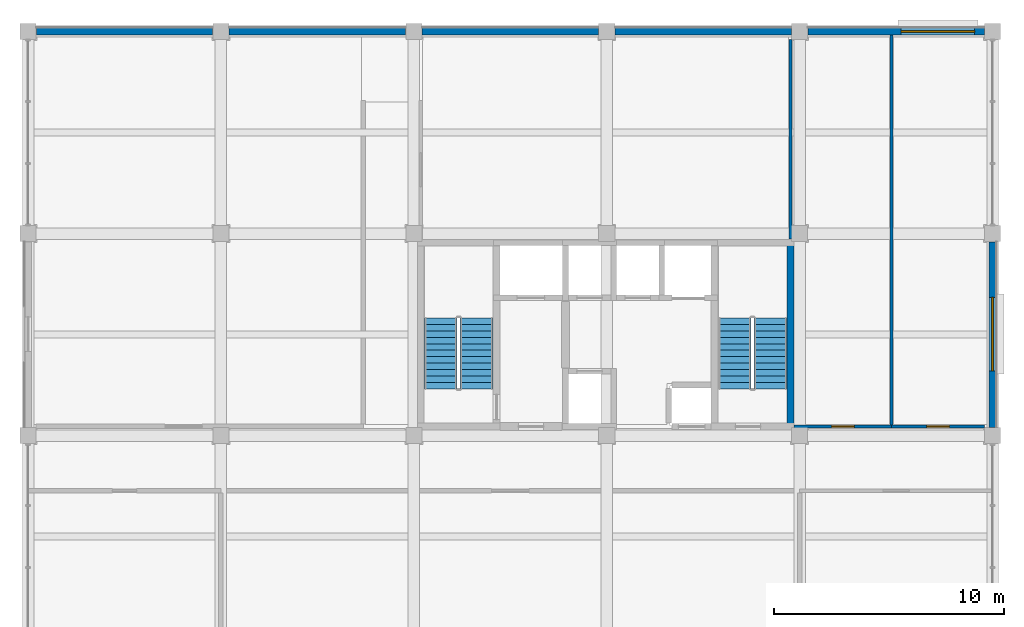
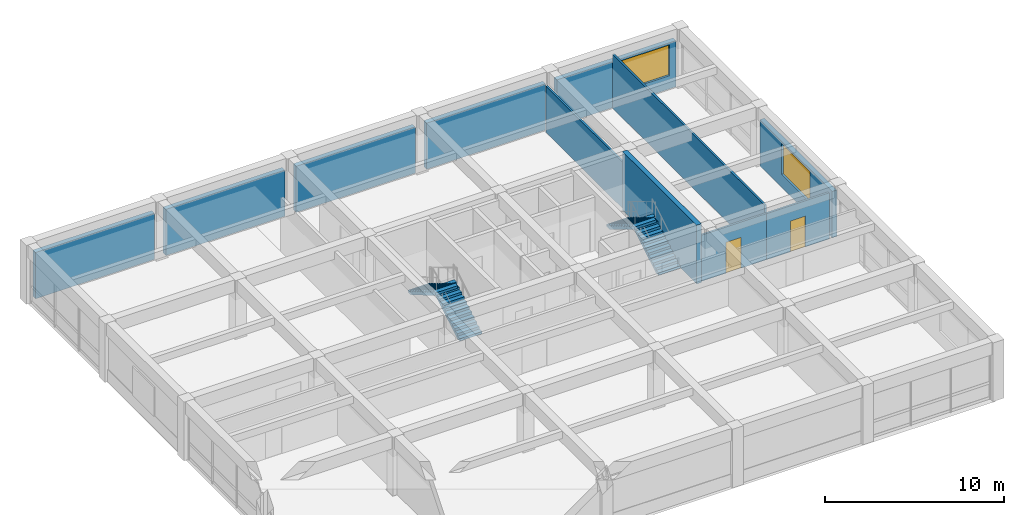
# One storey, part 9 of 14: 11 walls, 4 stair flights, 2 doors, 2 windows, 4 openings, 2 elements without a shape of their own.
"""IFC4 building model written with IfcOpenShell, lengths in metres."""

from ifc_helpers import new_model, si_unit, direction, frame, frame_2d, origin, place, context, subcontext, project, spatial, polyline, rectangle, outline, extrude, material, layer, layer_set, type_object, element, fill, aggregate, save


model = new_model("IFC4")

# Units and contexts
model_context = context("Model", 3, precision=1e-05, world=origin(), true_north=direction((0.0, 1.0)))
body_context = subcontext(model_context, "Body", "Model", "MODEL_VIEW")
ifc_project = project(units=[si_unit("LENGTHUNIT", "METRE"), si_unit("AREAUNIT", "SQUARE_METRE"), si_unit("VOLUMEUNIT", "CUBIC_METRE"), si_unit("PLANEANGLEUNIT", "RADIAN"), si_unit("MASSUNIT", "GRAM", prefix="KILO")], contexts=[model_context])

# Site, building, storey
site_placement = place(None, origin())
site = spatial("IfcSite", under=ifc_project, at=site_placement, CompositionType="ELEMENT")
building_placement = place(site_placement, origin())
building = spatial("IfcBuilding", under=site, at=building_placement, Name="Kemercrest Conservatory and Botanical Centre", CompositionType="ELEMENT")
storey_placement = place(building_placement, frame((0.0, 0.0, 28.800048828125)))
storey = spatial("IfcBuildingStorey", under=building, at=storey_placement, Name="L07", CompositionType="ELEMENT", Elevation=28.800048828125)

# Wall
ifc_material_1 = material(Name="Concrete C50/60", Category="concrete")
ifc_layer_1 = layer(ifc_material_1, 0.300048828125)
ifc_layer_set_1 = layer_set([ifc_layer_1], Name="Concrete C50/60")
wall_type_1 = type_object("IfcWallType", Name="CW-STAIR", PredefinedType="SHEAR", material=ifc_layer_set_1)
wall_1_placement = place(storey_placement, frame((167.199951171875, 105.050048828125, 0.0), z_axis=(0.0, 0.0, 1.0), x_axis=(0.0, 1.0, 0.0)))
element("IfcWall", 1, at=wall_1_placement, inside=storey, type_object=wall_type_1, Name="Stair core ST-V4B shear wall E", PredefinedType="SHEAR", context=body_context, shape_type="SweptSolid", body=[
    extrude(rectangle(XDim=8.300048828125, YDim=0.300048828125, at=frame_2d((4.14990234375, 0.0))), origin(), (0.0, 0.0, 1.0), 4.0),
])

# Wall, opening, window
ifc_material_2 = material(Name="Precast concrete C40/50", Category="concrete")
ifc_layer_2 = layer(ifc_material_2, 0.300048828125)
ifc_layer_set_2 = layer_set([ifc_layer_2], Name="Precast concrete C40/50")
wall_type_2 = type_object("IfcWallType", Name="W-EXT300", PredefinedType="SOLIDWALL", material=ifc_layer_set_2)
wall_2_placement = place(storey_placement, frame((176.0, 105.159912109375, 0.0), z_axis=(0.0, 0.0, 1.0), x_axis=(0.0, 1.0, 0.0)))
wall_2 = element("IfcWall", 2, at=wall_2_placement, inside=storey, type_object=wall_type_2, Name="Exterior almasik wall W-EXT300 (WAL:L07:EXT-266)", PredefinedType="SOLIDWALL", context=body_context, shape_type="SweptSolid", body=[
    extrude(rectangle(XDim=8.080078125, YDim=0.300048828125, at=frame_2d((4.0400390625, 0.0))), origin(), (0.0, 0.0, 1.0), 3.14990234375),
])
opening_1_placement = place(wall_2_placement, frame((2.4599609375, 0.0, 0.89990234375)))
opening_1 = element("IfcOpeningElement", 3, at=opening_1_placement, cuts=wall_2, Name="Opening WT-19", PredefinedType="OPENING", context=body_context, shape_type="SweptSolid", body=[
    extrude(rectangle(XDim=3.199951171875, YDim=2.10009765625, at=frame_2d((1.60009765625, 1.050048828125))), frame((0.0, 0.16015625, 0.0), z_axis=(0.0, -1.0, 0.0), x_axis=(1.0, 0.0, 0.0)), (0.0, 0.0, 1.0), 0.320068359375),
])
ifc_material_3 = material(Name="Thermally broken bronze-anodized aluminium and triple glazing", Category="aluminium")
window_type = type_object("IfcWindowType", Name="WT-19", PartitioningType="SINGLE_PANEL", PredefinedType="WINDOW", material=ifc_material_3)
window_1_placement = place(opening_1_placement, origin())
window_1 = element("IfcWindow", 4, at=window_1_placement, inside=storey, type_object=window_type, Name="Exterior window WT-19 (WIN:L07:EXT-266)", OverallHeight=2.10009765625, OverallWidth=3.199951171875, PartitioningType="SINGLE_PANEL", PredefinedType="WINDOW", context=body_context, shape_type="SweptSolid", body=[
    extrude(rectangle(XDim=3.199951171875, YDim=2.10009765625, at=frame_2d((1.60009765625, 1.050048828125))), frame((0.0, 0.030029296875, 0.0), z_axis=(0.0, -1.0, 0.0), x_axis=(1.0, 0.0, 0.0)), (0.0, 0.0, 1.0), 0.06005859375),
])
fill(opening_1, window_1)

wall_3_placement = place(storey_placement, frame((175.639892578125, 122.39990234375, 0.0), z_axis=(0.0, 0.0, 1.0), x_axis=(-1.0, 0.0, 0.0)))
wall_3 = element("IfcWall", 5, at=wall_3_placement, inside=storey, type_object=wall_type_2, Name="Exterior almasik wall W-EXT300 (WAL:L07:EXT-267)", PredefinedType="SOLIDWALL", context=body_context, shape_type="SweptSolid", body=[
    extrude(rectangle(XDim=7.679931640625, YDim=0.300048828125, at=frame_2d((3.83984375, 0.0))), origin(), (0.0, 0.0, 1.0), 3.14990234375),
])
opening_2_placement = place(wall_3_placement, frame((0.419921875, 0.0, 0.89990234375)))
opening_2 = element("IfcOpeningElement", 6, at=opening_2_placement, cuts=wall_3, Name="Opening WT-19", PredefinedType="OPENING", context=body_context, shape_type="SweptSolid", body=[
    extrude(rectangle(XDim=3.199951171875, YDim=2.10009765625, at=frame_2d((1.60009765625, 1.050048828125))), frame((0.0, 0.16015625, 0.0), z_axis=(0.0, -1.0, 0.0), x_axis=(1.0, 0.0, 0.0)), (0.0, 0.0, 1.0), 0.320068359375),
])
window_2_placement = place(opening_2_placement, origin())
window_2 = element("IfcWindow", 7, at=window_2_placement, inside=storey, type_object=window_type, Name="Exterior window WT-19 (WIN:L07:EXT-267)", OverallHeight=2.10009765625, OverallWidth=3.199951171875, PartitioningType="SINGLE_PANEL", PredefinedType="WINDOW", context=body_context, shape_type="SweptSolid", body=[
    extrude(rectangle(XDim=3.199951171875, YDim=2.10009765625, at=frame_2d((1.60009765625, 1.050048828125))), frame((0.0, 0.030029296875, 0.0), z_axis=(0.0, -1.0, 0.0), x_axis=(1.0, 0.0, 0.0)), (0.0, 0.0, 1.0), 0.06005859375),
])
fill(opening_2, window_2)

# Walls
wall_4_placement = place(storey_placement, frame((167.239990234375, 122.39990234375, 0.0), z_axis=(0.0, 0.0, 1.0), x_axis=(-1.0, 0.0, 0.0)))
element("IfcWall", 8, at=wall_4_placement, inside=storey, type_object=wall_type_2, Name="Exterior almasik wall W-EXT300 (WAL:L07:EXT-268)", PredefinedType="SOLIDWALL", context=body_context, shape_type="SweptSolid", body=[
    extrude(rectangle(XDim=7.679931640625, YDim=0.300048828125, at=frame_2d((3.83984375, 0.0))), origin(), (0.0, 0.0, 1.0), 3.14990234375),
])
wall_5_placement = place(storey_placement, frame((158.840087890625, 122.39990234375, 0.0), z_axis=(0.0, 0.0, 1.0), x_axis=(-1.0, 0.0, 0.0)))
element("IfcWall", 9, at=wall_5_placement, inside=storey, type_object=wall_type_2, Name="Exterior almasik wall W-EXT300 (WAL:L07:EXT-269)", PredefinedType="SOLIDWALL", context=body_context, shape_type="SweptSolid", body=[
    extrude(rectangle(XDim=7.68017578125, YDim=0.300048828125, at=frame_2d((3.840087890625, 0.0))), origin(), (0.0, 0.0, 1.0), 3.14990234375),
])
for number, where, z_axis, x_axis, name in (
    (10, (150.43994140625, 122.39990234375, 0.0), (0.0, 0.0, 1.0), (-1.0, 0.0, 0.0), "Exterior almasik wall W-EXT300 (WAL:L07:EXT-270)"),
    (11, (142.0400390625, 122.39990234375, 0.0), (0.0, 0.0, 1.0), (-1.0, 0.0, 0.0), "Exterior almasik wall W-EXT300 (WAL:L07:EXT-271)"),
):
    element("IfcWall", number, at=place(storey_placement, frame(where, z_axis=z_axis, x_axis=x_axis)), inside=storey, type_object=wall_type_2, Name=name, PredefinedType="SOLIDWALL", context=body_context, shape_type="SweptSolid", body=[
        extrude(rectangle(XDim=7.679931640625, YDim=0.300048828125, at=frame_2d((3.83984375, 0.0))), origin(), (0.0, 0.0, 1.0), 3.14990234375),
    ])

# Wall, opening, door
ifc_material_4 = material(Name="Moisture-resistant gypsum board partition", Category="gypsum")
ifc_layer_3 = layer(ifc_material_4, 0.125)
ifc_layer_set_3 = layer_set([ifc_layer_3], Name="Moisture-resistant gypsum board partition")
wall_type_3 = type_object("IfcWallType", Name="W-PART125", PredefinedType="PARTITIONING", material=ifc_layer_set_3)
wall_6_placement = place(storey_placement, frame((167.35498046875, 105.199951171875, 0.0), z_axis=(0.0, 0.0, 1.0), x_axis=(1.0, 0.0, 0.0)))
wall_6 = element("IfcWall", 12, at=wall_6_placement, inside=storey, type_object=wall_type_3, Name="Interior partition W-PART125 #206", PredefinedType="PARTITIONING", context=body_context, shape_type="SweptSolid", body=[
    extrude(rectangle(XDim=4.2451171875, YDim=0.125, at=frame_2d((2.12255859375, 0.0))), origin(), (0.0, 0.0, 1.0), 3.14501953125),
])
opening_3_placement = place(wall_6_placement, frame((1.632568359375, 0.0, 0.0)))
opening_3 = element("IfcOpeningElement", 13, at=opening_3_placement, cuts=wall_6, Name="Opening D224", PredefinedType="OPENING", context=body_context, shape_type="SweptSolid", body=[
    extrude(rectangle(XDim=0.97998046875, YDim=2.10009765625, at=frame_2d((0.489990234375, 1.050048828125))), frame((0.0, 0.072509765625, 0.0), z_axis=(0.0, -1.0, 0.0), x_axis=(1.0, 0.0, 0.0)), (0.0, 0.0, 1.0), 0.14501953125),
])
ifc_material_5 = material(Name="FSC solid-core white oak veneer and anodized aluminium frame", Category="aluminium")
door_type = type_object("IfcDoorType", Name="DT-02", OperationType="NOTDEFINED", PredefinedType="DOOR", material=ifc_material_5)
door_1_placement = place(opening_3_placement, origin())
door_1 = element("IfcDoor", 14, at=door_1_placement, inside=storey, type_object=door_type, Name="Staff Washroom door D224", OperationType="SINGLE_SWING_RIGHT", OverallHeight=2.10009765625, OverallWidth=0.97998046875, PredefinedType="DOOR", context=body_context, shape_type="SweptSolid", body=[
    extrude(rectangle(XDim=0.97998046875, YDim=2.10009765625, at=frame_2d((0.489990234375, 1.050048828125))), frame((0.0, 0.02490234375, 0.0), z_axis=(0.0, -1.0, 0.0), x_axis=(1.0, 0.0, 0.0)), (0.0, 0.0, 1.0), 0.050048828125),
])
fill(opening_3, door_1)

wall_7_placement = place(storey_placement, frame((171.60009765625, 105.199951171875, 0.0), z_axis=(0.0, 0.0, 1.0), x_axis=(1.0, 0.0, 0.0)))
wall_7 = element("IfcWall", 15, at=wall_7_placement, inside=storey, type_object=wall_type_3, Name="Interior partition W-PART125 #207", PredefinedType="PARTITIONING", context=body_context, shape_type="SweptSolid", body=[
    extrude(rectangle(XDim=4.0498046875, YDim=0.125, at=frame_2d((2.02490234375, 0.0))), origin(), (0.0, 0.0, 1.0), 3.14501953125),
])
opening_4_placement = place(wall_7_placement, frame((1.534912109375, 0.0, 0.0)))
opening_4 = element("IfcOpeningElement", 16, at=opening_4_placement, cuts=wall_7, Name="Opening D225", PredefinedType="OPENING", context=body_context, shape_type="SweptSolid", body=[
    extrude(rectangle(XDim=0.97998046875, YDim=2.10009765625, at=frame_2d((0.489990234375, 1.050048828125))), frame((0.0, 0.072509765625, 0.0), z_axis=(0.0, -1.0, 0.0), x_axis=(1.0, 0.0, 0.0)), (0.0, 0.0, 1.0), 0.14501953125),
])
door_2_placement = place(opening_4_placement, origin())
door_2 = element("IfcDoor", 17, at=door_2_placement, inside=storey, type_object=door_type, Name="Accessible Washroom door D225", OperationType="SINGLE_SWING_LEFT", OverallHeight=2.10009765625, OverallWidth=0.97998046875, PredefinedType="DOOR", context=body_context, shape_type="SweptSolid", body=[
    extrude(rectangle(XDim=0.97998046875, YDim=2.10009765625, at=frame_2d((0.489990234375, 1.050048828125))), frame((0.0, 0.02490234375, 0.0), z_axis=(0.0, -1.0, 0.0), x_axis=(1.0, 0.0, 0.0)), (0.0, 0.0, 1.0), 0.050048828125),
])
fill(opening_4, door_2)

# Walls
wall_8_placement = place(storey_placement, frame((167.199951171875, 113.35498046875, 0.0), z_axis=(0.0, 0.0, 1.0), x_axis=(0.0, 1.0, 0.0)))
element("IfcWall", 18, at=wall_8_placement, inside=storey, type_object=wall_type_3, Name="Interior partition W-PART125 #212", PredefinedType="PARTITIONING", context=body_context, shape_type="SweptSolid", body=[
    extrude(rectangle(XDim=8.695068359375, YDim=0.125, at=frame_2d((4.34765625, 0.0))), origin(), (0.0, 0.0, 1.0), 3.14501953125),
])
wall_9_placement = place(storey_placement, frame((171.60009765625, 105.267578125, 0.0), z_axis=(0.0, 0.0, 1.0), x_axis=(0.0, 1.0, 0.0)))
element("IfcWall", 19, at=wall_9_placement, inside=storey, type_object=wall_type_3, Name="Interior partition W-PART125 #213", PredefinedType="PARTITIONING", context=body_context, shape_type="SweptSolid", body=[
    extrude(rectangle(XDim=16.9775390625, YDim=0.125, at=frame_2d((8.48876953125, 0.0))), origin(), (0.0, 0.0, 1.0), 3.6650390625),
])

# Stair, stair flights
ifc_material_6 = material(Name="Concrete C40/50", Category="concrete")
stair_type = type_object("IfcStairType", Name="ST-142-40", PredefinedType="HALF_TURN_STAIR", material=ifc_material_6)
stair_1_placement = place(storey_placement, origin())
stair_1 = element("IfcStair", 20, at=stair_1_placement, inside=storey, type_object=stair_type, Name="L07 Exit stair ST-V4A", PredefinedType="HALF_TURN_STAIR")
stair_flight_type = type_object("IfcStairFlightType", Name="FL-142-40", PredefinedType="STRAIGHT", material=ifc_material_6)
stair_flight_1_placement = place(storey_placement, frame((153.530029296875, 106.840087890625, 0.0), z_axis=(0.0, 0.0, 1.0), x_axis=(0.0, 1.0, 0.0)))
stair_flight_1 = element("IfcStairFlight", 21, at=stair_flight_1_placement, type_object=stair_flight_type, Name="ST-V4A flight 1", NumberOfRisers=12, NumberOfTreads=11, PredefinedType="STRAIGHT", RiserHeight=0.166666667, TreadLength=0.28, context=body_context, shape_type="SweptSolid", body=[
    extrude(outline(polyline([(0.0, 0.0), (0.0, 0.166748046875), (0.280029296875, 0.166748046875), (0.280029296875, 0.333251953125), (0.56005859375, 0.333251953125), (0.56005859375, 0.5), (0.840087890625, 0.5), (0.840087890625, 0.666748046875), (1.1201171875, 0.666748046875), (1.1201171875, 0.833251953125), (1.39990234375, 0.833251953125), (1.39990234375, 1.0), (1.679931640625, 1.0), (1.679931640625, 1.166748046875), (1.9599609375, 1.166748046875), (1.9599609375, 1.333251953125), (2.239990234375, 1.333251953125), (2.239990234375, 1.5), (2.52001953125, 1.5), (2.52001953125, 1.666748046875), (2.800048828125, 1.666748046875), (2.800048828125, 1.833251953125), (3.080078125, 1.833251953125), (3.080078125, 2.0), (3.080078125, 1.658935546875), (0.29296875, 0.0), (0.0, 0.0)])), frame((0.0, 0.7099609375, 0.0), z_axis=(0.0, -1.0, 0.0), x_axis=(1.0, 0.0, 0.0)), (0.0, 0.0, 1.0), 1.419921875),
])
stair_flight_2_placement = place(storey_placement, frame((151.969970703125, 109.919921875, 2.0), z_axis=(0.0, 0.0, 1.0), x_axis=(0.0, -1.0, 0.0)))
stair_flight_2 = element("IfcStairFlight", 22, at=stair_flight_2_placement, type_object=stair_flight_type, Name="ST-V4A flight 2", NumberOfRisers=12, NumberOfTreads=11, PredefinedType="STRAIGHT", RiserHeight=0.166666667, TreadLength=0.28, context=body_context, shape_type="SweptSolid", body=[
    extrude(outline(polyline([(0.0, 0.0), (0.0, 0.166748046875), (0.280029296875, 0.166748046875), (0.280029296875, 0.333251953125), (0.56005859375, 0.333251953125), (0.56005859375, 0.5), (0.840087890625, 0.5), (0.840087890625, 0.666748046875), (1.1201171875, 0.666748046875), (1.1201171875, 0.833251953125), (1.39990234375, 0.833251953125), (1.39990234375, 1.0), (1.679931640625, 1.0), (1.679931640625, 1.166748046875), (1.9599609375, 1.166748046875), (1.9599609375, 1.333251953125), (2.239990234375, 1.333251953125), (2.239990234375, 1.5), (2.52001953125, 1.5), (2.52001953125, 1.666748046875), (2.800048828125, 1.666748046875), (2.800048828125, 1.833251953125), (3.080078125, 1.833251953125), (3.080078125, 2.0), (3.080078125, 1.658935546875), (0.29296875, 0.0), (0.0, 0.0)])), frame((0.0, 0.7099609375, 0.0), z_axis=(0.0, -1.0, 0.0), x_axis=(1.0, 0.0, 0.0)), (0.0, 0.0, 1.0), 1.419921875),
])
aggregate(stair_1, [stair_flight_1, stair_flight_2])

stair_2_placement = place(storey_placement, origin())
stair_2 = element("IfcStair", 23, at=stair_2_placement, inside=storey, type_object=stair_type, Name="L07 Exit stair ST-V4B", PredefinedType="HALF_TURN_STAIR")
stair_flight_3_placement = place(storey_placement, frame((166.330078125, 106.840087890625, 0.0), z_axis=(0.0, 0.0, 1.0), x_axis=(0.0, 1.0, 0.0)))
stair_flight_3 = element("IfcStairFlight", 24, at=stair_flight_3_placement, type_object=stair_flight_type, Name="ST-V4B flight 1", NumberOfRisers=12, NumberOfTreads=11, PredefinedType="STRAIGHT", RiserHeight=0.166666667, TreadLength=0.28, context=body_context, shape_type="SweptSolid", body=[
    extrude(outline(polyline([(0.0, 0.0), (0.0, 0.166748046875), (0.280029296875, 0.166748046875), (0.280029296875, 0.333251953125), (0.56005859375, 0.333251953125), (0.56005859375, 0.5), (0.840087890625, 0.5), (0.840087890625, 0.666748046875), (1.1201171875, 0.666748046875), (1.1201171875, 0.833251953125), (1.39990234375, 0.833251953125), (1.39990234375, 1.0), (1.679931640625, 1.0), (1.679931640625, 1.166748046875), (1.9599609375, 1.166748046875), (1.9599609375, 1.333251953125), (2.239990234375, 1.333251953125), (2.239990234375, 1.5), (2.52001953125, 1.5), (2.52001953125, 1.666748046875), (2.800048828125, 1.666748046875), (2.800048828125, 1.833251953125), (3.080078125, 1.833251953125), (3.080078125, 2.0), (3.080078125, 1.658935546875), (0.29296875, 0.0), (0.0, 0.0)])), frame((0.0, 0.7099609375, 0.0), z_axis=(0.0, -1.0, 0.0), x_axis=(1.0, 0.0, 0.0)), (0.0, 0.0, 1.0), 1.419921875),
])
stair_flight_4_placement = place(storey_placement, frame((164.77001953125, 109.919921875, 2.0), z_axis=(0.0, 0.0, 1.0), x_axis=(0.0, -1.0, 0.0)))
stair_flight_4 = element("IfcStairFlight", 25, at=stair_flight_4_placement, type_object=stair_flight_type, Name="ST-V4B flight 2", NumberOfRisers=12, NumberOfTreads=11, PredefinedType="STRAIGHT", RiserHeight=0.166666667, TreadLength=0.28, context=body_context, shape_type="SweptSolid", body=[
    extrude(outline(polyline([(0.0, 0.0), (0.0, 0.166748046875), (0.280029296875, 0.166748046875), (0.280029296875, 0.333251953125), (0.56005859375, 0.333251953125), (0.56005859375, 0.5), (0.840087890625, 0.5), (0.840087890625, 0.666748046875), (1.1201171875, 0.666748046875), (1.1201171875, 0.833251953125), (1.39990234375, 0.833251953125), (1.39990234375, 1.0), (1.679931640625, 1.0), (1.679931640625, 1.166748046875), (1.9599609375, 1.166748046875), (1.9599609375, 1.333251953125), (2.239990234375, 1.333251953125), (2.239990234375, 1.5), (2.52001953125, 1.5), (2.52001953125, 1.666748046875), (2.800048828125, 1.666748046875), (2.800048828125, 1.833251953125), (3.080078125, 1.833251953125), (3.080078125, 2.0), (3.080078125, 1.658935546875), (0.29296875, 0.0), (0.0, 0.0)])), frame((0.0, 0.7099609375, 0.0), z_axis=(0.0, -1.0, 0.0), x_axis=(1.0, 0.0, 0.0)), (0.0, 0.0, 1.0), 1.419921875),
])
aggregate(stair_2, [stair_flight_3, stair_flight_4])

save(model, "model.ifc")
